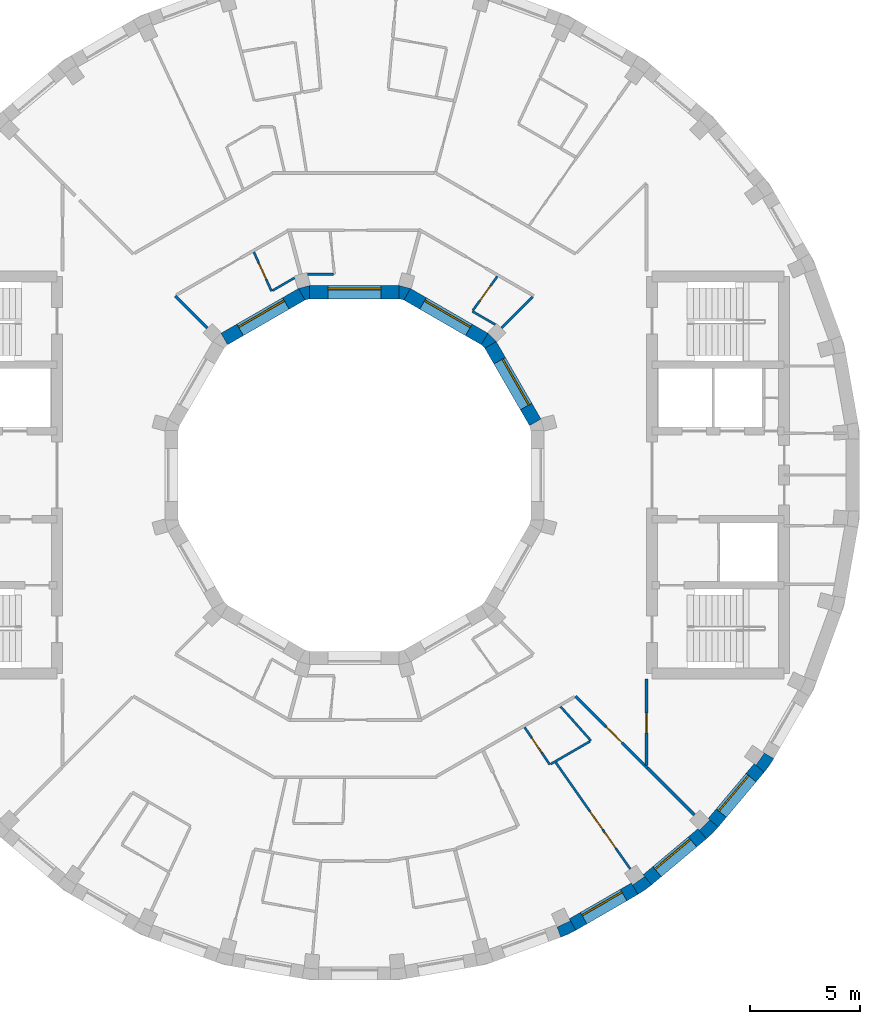
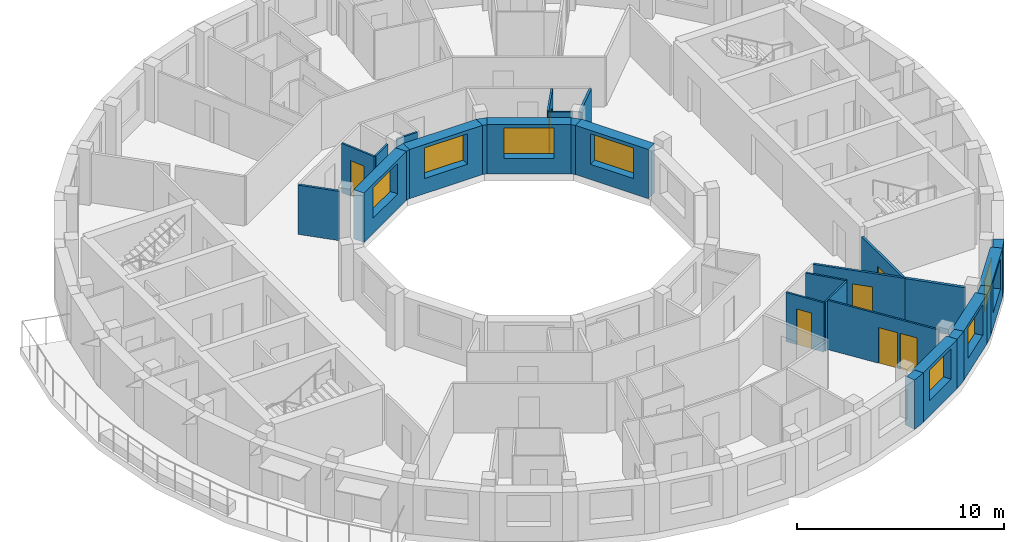
# One storey, part 5 of 10: 28 walls, 7 doors, 7 windows, 14 openings.
"""IFC4 building model written with IfcOpenShell, lengths in metres."""

from ifc_helpers import new_model, si_unit, direction, frame, frame_2d, origin, place, context, subcontext, project, spatial, polyline, rectangle, outline, extrude, material, layer, layer_set, type_object, element, fill, save


model = new_model("IFC4")

# Units and contexts
model_context = context("Model", 3, precision=1e-05, world=origin(), true_north=direction((0.0, 1.0)))
body_context = subcontext(model_context, "Body", "Model", "MODEL_VIEW")
ifc_project = project(units=[si_unit("LENGTHUNIT", "METRE"), si_unit("AREAUNIT", "SQUARE_METRE"), si_unit("VOLUMEUNIT", "CUBIC_METRE"), si_unit("PLANEANGLEUNIT", "RADIAN"), si_unit("MASSUNIT", "GRAM", prefix="KILO")], contexts=[model_context])

# Site, building, storey
site_placement = place(None, origin())
site = spatial("IfcSite", under=ifc_project, at=site_placement, CompositionType="ELEMENT")
building_placement = place(site_placement, origin())
building = spatial("IfcBuilding", under=site, at=building_placement, Name="Saqina Gate Tower", CompositionType="ELEMENT")
storey_placement = place(building_placement, frame((0.0, 0.0, 249.5)))
storey = spatial("IfcBuildingStorey", under=building, at=storey_placement, Name="L71", CompositionType="ELEMENT", Elevation=249.5)

# Walls
ifc_material_1 = material(Name="Brick masonry (buff)", Category="masonry")
wall_type_1 = type_object("IfcWallType", Name="BRICK PIER COPING BUFF", PredefinedType="SOLIDWALL", material=ifc_material_1)
wall_1_placement = place(storey_placement, origin())
element("IfcWall", 1, at=wall_1_placement, inside=storey, type_object=wall_type_1, Name="Pier cap L71 column 30", PredefinedType="SOLIDWALL", context=body_context, shape_type="SweptSolid", body=[
    extrude(outline(polyline([(9.3642578125, -20.974609375), (10.048095703125, -20.65576171875), (9.748291015625, -20.135986328125), (9.79296875, -20.23193359375), (9.203857421875, -20.506591796875), (9.1591796875, -20.410888671875), (9.3642578125, -20.974609375)])), origin(), (0.0, 0.0, 1.0), 2.89990234375),
])
wall_2_placement = place(storey_placement, origin())
element("IfcWall", 2, at=wall_2_placement, inside=storey, type_object=wall_type_1, Name="Pier cap L71 column 31", PredefinedType="SOLIDWALL", context=body_context, shape_type="SweptSolid", body=[
    extrude(outline(polyline([(12.8642578125, -19.02978515625), (13.482421875, -18.59716796875), (13.0966796875, -18.137451171875), (13.157470703125, -18.22412109375), (12.625, -18.596923828125), (12.564208984375, -18.51025390625), (12.8642578125, -19.02978515625)])), origin(), (0.0, 0.0, 1.0), 2.89990234375),
])
wall_3_placement = place(storey_placement, origin())
element("IfcWall", 3, at=wall_3_placement, inside=storey, type_object=wall_type_1, Name="Pier cap L71 column 32", PredefinedType="SOLIDWALL", context=body_context, shape_type="SweptSolid", body=[
    extrude(outline(polyline([(16.5068359375, -15.973388671875), (16.04736328125, -15.587646484375), (16.1220703125, -15.662353515625), (15.662353515625, -16.1220703125), (15.587646484375, -16.04736328125), (15.973388671875, -16.5068359375), (16.5068359375, -15.973388671875)])), origin(), (0.0, 0.0, 1.0), 2.89990234375),
])
wall_4_placement = place(storey_placement, origin())
element("IfcWall", 4, at=wall_4_placement, inside=storey, type_object=wall_type_1, Name="Pier cap L71 column 33", PredefinedType="SOLIDWALL", context=body_context, shape_type="SweptSolid", body=[
    extrude(outline(polyline([(19.02978515625, -12.8642578125), (18.51025390625, -12.564208984375), (18.596923828125, -12.625), (18.22412109375, -13.157470703125), (18.137451171875, -13.0966796875), (18.59716796875, -13.482421875), (19.02978515625, -12.8642578125)])), origin(), (0.0, 0.0, 1.0), 2.89990234375),
])

# Wall, opening, window
ifc_material_2 = material(Name="Brick masonry (buff)", Category="masonry")
ifc_layer_1 = layer(ifc_material_2, 0.60009765625)
ifc_layer_set_1 = layer_set([ifc_layer_1], Name="FW-BRICK-BUFF")
wall_type_2 = type_object("IfcWallType", Name="FW-BRICK-BUFF", PredefinedType="SOLIDWALL", material=ifc_layer_set_1)
wall_5_placement = place(storey_placement, frame((9.898193359375, -20.39599609375, 0.0), z_axis=(0.0, 0.0, 1.0), x_axis=(0.866016800201, 0.500014901547, 0.0)))
wall_5 = element("IfcWall", 5, at=wall_5_placement, inside=storey, type_object=wall_type_2, Name="Facade wall L71 facet 30", PredefinedType="SOLIDWALL", context=body_context, shape_type="SweptSolid", body=[
    extrude(rectangle(XDim=3.251953125, YDim=0.60009765625, at=frame_2d((1.6259765625, 0.0))), origin(), (0.0, 0.0, 1.0), 2.89990234375),
])
opening_1_placement = place(wall_5_placement, frame((0.57568359375, 0.0, 0.89990234375)))
opening_1 = element("IfcOpeningElement", 6, at=opening_1_placement, cuts=wall_5, Name="Opening G21-W21", PredefinedType="OPENING", context=body_context, shape_type="SweptSolid", body=[
    extrude(rectangle(XDim=2.10009765625, YDim=1.800048828125, at=frame_2d((1.050048828125, 0.89990234375))), frame((0.0, 0.31201171875, 0.0), z_axis=(0.0, -1.0, 0.0), x_axis=(1.0, 0.0, 0.0)), (0.0, 0.0, 1.0), 0.6240234375),
])
ifc_material_3 = material(Name="Aluminium glazing", Category="aluminium")
window_type_1 = type_object("IfcWindowType", Name="WN-D", PartitioningType="SINGLE_PANEL", PredefinedType="WINDOW", material=ifc_material_3)
window_1_placement = place(opening_1_placement, origin())
window_1 = element("IfcWindow", 7, at=window_1_placement, inside=storey, type_object=window_type_1, Name="Window L71 facet 30", OverallHeight=1.800048828125, OverallWidth=2.10009765625, PartitioningType="SINGLE_PANEL", PredefinedType="WINDOW", context=body_context, shape_type="SweptSolid", body=[
    extrude(rectangle(XDim=2.10009765625, YDim=1.800048828125, at=frame_2d((1.050048828125, 0.89990234375))), frame((0.0, 0.179931640625, 0.0), z_axis=(0.0, -1.0, 0.0), x_axis=(1.0, 0.0, 0.0)), (0.0, 0.0, 1.0), 0.06005859375),
])
fill(opening_1, window_1)

wall_6_placement = place(storey_placement, frame((13.28955078125, -18.3671875, 0.0), z_axis=(0.0, 0.0, 1.0), x_axis=(0.766056773982, 0.64277291405, 0.0)))
wall_6 = element("IfcWall", 8, at=wall_6_placement, inside=storey, type_object=wall_type_2, Name="Facade wall L71 facet 31", PredefinedType="SOLIDWALL", context=body_context, shape_type="SweptSolid", body=[
    extrude(rectangle(XDim=3.251708984375, YDim=0.60009765625, at=frame_2d((1.6259765625, 0.0))), origin(), (0.0, 0.0, 1.0), 2.89990234375),
])
opening_2_placement = place(wall_6_placement, frame((0.57568359375, 0.0, 0.89990234375)))
opening_2 = element("IfcOpeningElement", 9, at=opening_2_placement, cuts=wall_6, Name="Opening G21-W22", PredefinedType="OPENING", context=body_context, shape_type="SweptSolid", body=[
    extrude(rectangle(XDim=2.10009765625, YDim=1.800048828125, at=frame_2d((1.050048828125, 0.89990234375))), frame((0.0, 0.31201171875, 0.0), z_axis=(0.0, -1.0, 0.0), x_axis=(1.0, 0.0, 0.0)), (0.0, 0.0, 1.0), 0.6240234375),
])
window_2_placement = place(opening_2_placement, origin())
window_2 = element("IfcWindow", 10, at=window_2_placement, inside=storey, type_object=window_type_1, Name="Window L71 facet 31", OverallHeight=1.800048828125, OverallWidth=2.10009765625, PartitioningType="SINGLE_PANEL", PredefinedType="WINDOW", context=body_context, shape_type="SweptSolid", body=[
    extrude(rectangle(XDim=2.10009765625, YDim=1.800048828125, at=frame_2d((1.050048828125, 0.89990234375))), frame((0.0, 0.179931640625, 0.0), z_axis=(0.0, -1.0, 0.0), x_axis=(1.0, 0.0, 0.0)), (0.0, 0.0, 1.0), 0.06005859375),
])
fill(opening_2, window_2)

wall_7_placement = place(storey_placement, frame((16.277099609375, -15.780517578125, 0.0), z_axis=(0.0, 0.0, 1.0), x_axis=(0.64277291405, 0.766056773982, 0.0)))
wall_7 = element("IfcWall", 11, at=wall_7_placement, inside=storey, type_object=wall_type_2, Name="Facade wall L71 facet 32", PredefinedType="SOLIDWALL", context=body_context, shape_type="SweptSolid", body=[
    extrude(rectangle(XDim=3.251708984375, YDim=0.60009765625, at=frame_2d((1.6259765625, 0.0))), origin(), (0.0, 0.0, 1.0), 2.89990234375),
])
opening_3_placement = place(wall_7_placement, frame((0.57568359375, 0.0, 0.89990234375)))
opening_3 = element("IfcOpeningElement", 12, at=opening_3_placement, cuts=wall_7, Name="Opening G21-W23", PredefinedType="OPENING", context=body_context, shape_type="SweptSolid", body=[
    extrude(rectangle(XDim=2.10009765625, YDim=1.800048828125, at=frame_2d((1.050048828125, 0.89990234375))), frame((0.0, 0.31201171875, 0.0), z_axis=(0.0, -1.0, 0.0), x_axis=(1.0, 0.0, 0.0)), (0.0, 0.0, 1.0), 0.6240234375),
])
window_3_placement = place(opening_3_placement, origin())
window_3 = element("IfcWindow", 13, at=window_3_placement, inside=storey, type_object=window_type_1, Name="Window L71 facet 32", OverallHeight=1.800048828125, OverallWidth=2.10009765625, PartitioningType="SINGLE_PANEL", PredefinedType="WINDOW", context=body_context, shape_type="SweptSolid", body=[
    extrude(rectangle(XDim=2.10009765625, YDim=1.800048828125, at=frame_2d((1.050048828125, 0.89990234375))), frame((0.0, 0.179931640625, 0.0), z_axis=(0.0, -1.0, 0.0), x_axis=(1.0, 0.0, 0.0)), (0.0, 0.0, 1.0), 0.06005859375),
])
fill(opening_3, window_3)

ifc_material_4 = material(Name="Glazed ceramic tile", Category="ceramic")
ifc_layer_2 = layer(ifc_material_4, 0.60009765625)
ifc_layer_set_2 = layer_set([ifc_layer_2], Name="IW-TILE")
wall_type_3 = type_object("IfcWallType", Name="IW-TILE", PredefinedType="SOLIDWALL", material=ifc_layer_set_2)
wall_8_placement = place(storey_placement, frame((8.20263671875, 2.392578125, 0.0), z_axis=(0.0, 0.0, 1.0), x_axis=(-0.499994954979, 0.866028316509, 0.0)))
wall_8 = element("IfcWall", 14, at=wall_8_placement, inside=storey, type_object=wall_type_3, Name="Well wall L71 facet 1", PredefinedType="SOLIDWALL", context=body_context, shape_type="SweptSolid", body=[
    extrude(rectangle(XDim=4.05859375, YDim=0.60009765625, at=frame_2d((2.029296875, 0.0))), origin(), (0.0, 0.0, 1.0), 2.89990234375),
])
opening_4_placement = place(wall_8_placement, frame((0.829345703125, 0.0, 0.89990234375)))
opening_4 = element("IfcOpeningElement", 15, at=opening_4_placement, cuts=wall_8, Name="Opening G21-W25", PredefinedType="OPENING", context=body_context, shape_type="SweptSolid", body=[
    extrude(rectangle(XDim=2.39990234375, YDim=1.800048828125, at=frame_2d((1.199951171875, 0.89990234375))), frame((0.0, 0.31201171875, 0.0), z_axis=(0.0, -1.0, 0.0), x_axis=(1.0, 0.0, 0.0)), (0.0, 0.0, 1.0), 0.6240234375),
])
ifc_material_5 = material(Name="Aluminium glazing", Category="aluminium")
window_type_2 = type_object("IfcWindowType", Name="WN-W", PartitioningType="SINGLE_PANEL", PredefinedType="WINDOW", material=ifc_material_5)
window_4_placement = place(opening_4_placement, origin())
window_4 = element("IfcWindow", 16, at=window_4_placement, inside=storey, type_object=window_type_2, Name="Well window L71 facet 1", OverallHeight=1.800048828125, OverallWidth=2.39990234375, PartitioningType="SINGLE_PANEL", PredefinedType="WINDOW", context=body_context, shape_type="SweptSolid", body=[
    extrude(rectangle(XDim=2.39990234375, YDim=1.800048828125, at=frame_2d((1.199951171875, 0.89990234375))), frame((0.0, -0.119873046875, 0.0), z_axis=(0.0, -1.0, 0.0), x_axis=(1.0, 0.0, 0.0)), (0.0, 0.0, 1.0), 0.06005859375),
])
fill(opening_4, window_4)

wall_9_placement = place(storey_placement, frame((5.907470703125, 6.17333984375, 0.0), z_axis=(0.0, 0.0, 1.0), x_axis=(-0.866028316509, 0.499994954979, 0.0)))
wall_9 = element("IfcWall", 17, at=wall_9_placement, inside=storey, type_object=wall_type_3, Name="Well wall L71 facet 2", PredefinedType="SOLIDWALL", context=body_context, shape_type="SweptSolid", body=[
    extrude(rectangle(XDim=4.05859375, YDim=0.60009765625, at=frame_2d((2.029296875, 0.0))), origin(), (0.0, 0.0, 1.0), 2.89990234375),
])
opening_5_placement = place(wall_9_placement, frame((0.829345703125, 0.0, 0.89990234375)))
opening_5 = element("IfcOpeningElement", 18, at=opening_5_placement, cuts=wall_9, Name="Opening G21-W26", PredefinedType="OPENING", context=body_context, shape_type="SweptSolid", body=[
    extrude(rectangle(XDim=2.39990234375, YDim=1.800048828125, at=frame_2d((1.199951171875, 0.89990234375))), frame((0.0, 0.31201171875, 0.0), z_axis=(0.0, -1.0, 0.0), x_axis=(1.0, 0.0, 0.0)), (0.0, 0.0, 1.0), 0.6240234375),
])
window_5_placement = place(opening_5_placement, origin())
window_5 = element("IfcWindow", 19, at=window_5_placement, inside=storey, type_object=window_type_2, Name="Well window L71 facet 2", OverallHeight=1.800048828125, OverallWidth=2.39990234375, PartitioningType="SINGLE_PANEL", PredefinedType="WINDOW", context=body_context, shape_type="SweptSolid", body=[
    extrude(rectangle(XDim=2.39990234375, YDim=1.800048828125, at=frame_2d((1.199951171875, 0.89990234375))), frame((0.0, -0.119873046875, 0.0), z_axis=(0.0, -1.0, 0.0), x_axis=(1.0, 0.0, 0.0)), (0.0, 0.0, 1.0), 0.06005859375),
])
fill(opening_5, window_5)

wall_10_placement = place(storey_placement, frame((2.029296875, 8.300048828125, 0.0), z_axis=(0.0, 0.0, 1.0), x_axis=(-1.0, 0.0, 0.0)))
wall_10 = element("IfcWall", 20, at=wall_10_placement, inside=storey, type_object=wall_type_3, Name="Well wall L71 facet 3", PredefinedType="SOLIDWALL", context=body_context, shape_type="SweptSolid", body=[
    extrude(rectangle(XDim=4.05859375, YDim=0.60009765625, at=frame_2d((2.029296875, 0.0))), origin(), (0.0, 0.0, 1.0), 2.89990234375),
])
opening_6_placement = place(wall_10_placement, frame((0.829345703125, 0.0, 0.89990234375)))
opening_6 = element("IfcOpeningElement", 21, at=opening_6_placement, cuts=wall_10, Name="Opening G21-W27", PredefinedType="OPENING", context=body_context, shape_type="SweptSolid", body=[
    extrude(rectangle(XDim=2.39990234375, YDim=1.800048828125, at=frame_2d((1.199951171875, 0.89990234375))), frame((0.0, 0.31201171875, 0.0), z_axis=(0.0, -1.0, 0.0), x_axis=(1.0, 0.0, 0.0)), (0.0, 0.0, 1.0), 0.6240234375),
])
window_6_placement = place(opening_6_placement, origin())
window_6 = element("IfcWindow", 22, at=window_6_placement, inside=storey, type_object=window_type_2, Name="Well window L71 facet 3", OverallHeight=1.800048828125, OverallWidth=2.39990234375, PartitioningType="SINGLE_PANEL", PredefinedType="WINDOW", context=body_context, shape_type="SweptSolid", body=[
    extrude(rectangle(XDim=2.39990234375, YDim=1.800048828125, at=frame_2d((1.199951171875, 0.89990234375))), frame((0.0, -0.119873046875, 0.0), z_axis=(0.0, -1.0, 0.0), x_axis=(1.0, 0.0, 0.0)), (0.0, 0.0, 1.0), 0.06005859375),
])
fill(opening_6, window_6)

wall_11_placement = place(storey_placement, frame((-2.392578125, 8.20263671875, 0.0), z_axis=(0.0, 0.0, 1.0), x_axis=(-0.866028316509, -0.499994954979, 0.0)))
wall_11 = element("IfcWall", 23, at=wall_11_placement, inside=storey, type_object=wall_type_3, Name="Well wall L71 facet 4", PredefinedType="SOLIDWALL", context=body_context, shape_type="SweptSolid", body=[
    extrude(rectangle(XDim=4.05859375, YDim=0.60009765625, at=frame_2d((2.029296875, 0.0))), origin(), (0.0, 0.0, 1.0), 2.89990234375),
])
opening_7_placement = place(wall_11_placement, frame((0.829345703125, 0.0, 0.89990234375)))
opening_7 = element("IfcOpeningElement", 24, at=opening_7_placement, cuts=wall_11, Name="Opening G21-W28", PredefinedType="OPENING", context=body_context, shape_type="SweptSolid", body=[
    extrude(rectangle(XDim=2.39990234375, YDim=1.800048828125, at=frame_2d((1.199951171875, 0.89990234375))), frame((0.0, 0.31201171875, 0.0), z_axis=(0.0, -1.0, 0.0), x_axis=(1.0, 0.0, 0.0)), (0.0, 0.0, 1.0), 0.6240234375),
])
window_7_placement = place(opening_7_placement, origin())
window_7 = element("IfcWindow", 25, at=window_7_placement, inside=storey, type_object=window_type_2, Name="Well window L71 facet 4", OverallHeight=1.800048828125, OverallWidth=2.39990234375, PartitioningType="SINGLE_PANEL", PredefinedType="WINDOW", context=body_context, shape_type="SweptSolid", body=[
    extrude(rectangle(XDim=2.39990234375, YDim=1.800048828125, at=frame_2d((1.199951171875, 0.89990234375))), frame((0.0, -0.119873046875, 0.0), z_axis=(0.0, -1.0, 0.0), x_axis=(1.0, 0.0, 0.0)), (0.0, 0.0, 1.0), 0.06005859375),
])
fill(opening_7, window_7)

# Wall, opening, door
ifc_material_6 = material(Name="Gypsum board on steel studs, 100 mm", Category="steel")
ifc_layer_3 = layer(ifc_material_6, 0.10009765625)
ifc_layer_set_3 = layer_set([ifc_layer_3], Name="PARTITION 100")
wall_type_4 = type_object("IfcWallType", Name="PARTITION 100", PredefinedType="PARTITIONING", material=ifc_layer_set_3)
wall_12_placement = place(storey_placement, frame((-4.566162109375, 10.12060546875, 0.0), z_axis=(0.0, 0.0, 1.0), x_axis=(0.411506094415, -0.911407008015, 0.0)))
wall_12 = element("IfcWall", 26, at=wall_12_placement, inside=storey, type_object=wall_type_4, Name="PARTITION PW3-08", PredefinedType="PARTITIONING", context=body_context, shape_type="SweptSolid", body=[
    extrude(rectangle(XDim=1.947265625, YDim=0.10009765625, at=frame_2d((0.9736328125, 0.0))), origin(), (0.0, 0.0, 1.0), 2.89990234375),
])
opening_8_placement = place(wall_12_placement, frame((0.5419921875, 0.0, 0.0)))
opening_8 = element("IfcOpeningElement", 27, at=opening_8_placement, cuts=wall_12, Name="Opening G21-D18", PredefinedType="OPENING", context=body_context, shape_type="SweptSolid", body=[
    extrude(rectangle(XDim=0.800048828125, YDim=2.10009765625, at=frame_2d((0.39990234375, 1.050048828125))), frame((0.0, 0.06201171875, 0.0), z_axis=(0.0, -1.0, 0.0), x_axis=(1.0, 0.0, 0.0)), (0.0, 0.0, 1.0), 0.1240234375),
])
ifc_material_7 = material(Name="Timber door leaf, 800 mm", Category="wood")
door_type_1 = type_object("IfcDoorType", Name="DOOR 800 TIMBER", OperationType="SINGLE_SWING_LEFT", PredefinedType="DOOR", material=ifc_material_7)
door_1_placement = place(opening_8_placement, frame((0.800048828125, 0.0, 0.0), z_axis=(0.0, 0.0, 1.0), x_axis=(-1.0, 0.0, 0.0)))
door_1 = element("IfcDoor", 28, at=door_1_placement, inside=storey, type_object=door_type_1, Name="DOOR G21-D18", OperationType="SINGLE_SWING_RIGHT", OverallHeight=2.10009765625, OverallWidth=0.800048828125, PredefinedType="DOOR", context=body_context, shape_type="SweptSolid", body=[
    extrude(rectangle(XDim=0.800048828125, YDim=2.10009765625, at=frame_2d((0.39990234375, 1.050048828125))), frame((0.0, 0.02490234375, 0.0), z_axis=(0.0, -1.0, 0.0), x_axis=(1.0, 0.0, 0.0)), (0.0, 0.0, 1.0), 0.050048828125),
])
fill(opening_8, door_1)

wall_13_placement = place(storey_placement, frame((7.72119140625, -11.44775390625, 0.0), z_axis=(0.0, 0.0, 1.0), x_axis=(0.559248794195, -0.828999871044, 0.0)))
wall_13 = element("IfcWall", 29, at=wall_13_placement, inside=storey, type_object=wall_type_4, Name="PARTITION PW3-10", PredefinedType="PARTITIONING", context=body_context, shape_type="SweptSolid", body=[
    extrude(rectangle(XDim=2.0400390625, YDim=0.10009765625, at=frame_2d((1.02001953125, 0.0))), origin(), (0.0, 0.0, 1.0), 2.89990234375),
])
opening_9_placement = place(wall_13_placement, frame((0.587158203125, 0.0, 0.0)))
opening_9 = element("IfcOpeningElement", 30, at=opening_9_placement, cuts=wall_13, Name="Opening G21-D39", PredefinedType="OPENING", context=body_context, shape_type="SweptSolid", body=[
    extrude(rectangle(XDim=0.800048828125, YDim=2.10009765625, at=frame_2d((0.39990234375, 1.050048828125))), frame((0.0, 0.06201171875, 0.0), z_axis=(0.0, -1.0, 0.0), x_axis=(1.0, 0.0, 0.0)), (0.0, 0.0, 1.0), 0.1240234375),
])
door_2_placement = place(opening_9_placement, frame((0.800048828125, 0.0, 0.0), z_axis=(0.0, 0.0, 1.0), x_axis=(-1.0, 0.0, 0.0)))
door_2 = element("IfcDoor", 31, at=door_2_placement, inside=storey, type_object=door_type_1, Name="DOOR G21-D39", OperationType="SINGLE_SWING_RIGHT", OverallHeight=2.10009765625, OverallWidth=0.800048828125, PredefinedType="DOOR", context=body_context, shape_type="SweptSolid", body=[
    extrude(rectangle(XDim=0.800048828125, YDim=2.10009765625, at=frame_2d((0.39990234375, 1.050048828125))), frame((0.0, 0.02490234375, 0.0), z_axis=(0.0, -1.0, 0.0), x_axis=(1.0, 0.0, 0.0)), (0.0, 0.0, 1.0), 0.050048828125),
])
fill(opening_9, door_2)

# Wall, openings, doors
wall_14_placement = place(storey_placement, frame((9.131591796875, -13.041015625, 0.0), z_axis=(0.0, 0.0, 1.0), x_axis=(0.573490140142, -0.819212462772, 0.0)))
wall_14 = element("IfcWall", 32, at=wall_14_placement, inside=storey, type_object=wall_type_4, Name="PARTITION PW3-11", PredefinedType="PARTITIONING", context=body_context, shape_type="SweptSolid", body=[
    extrude(rectangle(XDim=5.894775390625, YDim=0.10009765625, at=frame_2d((2.947265625, 0.0))), origin(), (0.0, 0.0, 1.0), 2.89990234375),
])
opening_10_placement = place(wall_14_placement, frame((2.71337890625, 0.0, 0.0)))
opening_10 = element("IfcOpeningElement", 33, at=opening_10_placement, cuts=wall_14, Name="Opening G21-D40", PredefinedType="OPENING", context=body_context, shape_type="SweptSolid", body=[
    extrude(rectangle(XDim=1.0, YDim=2.10009765625, at=frame_2d((0.5, 1.050048828125))), frame((0.0, 0.06201171875, 0.0), z_axis=(0.0, -1.0, 0.0), x_axis=(1.0, 0.0, 0.0)), (0.0, 0.0, 1.0), 0.1240234375),
])
opening_11_placement = place(wall_14_placement, frame((3.863525390625, 0.0, 0.0)))
opening_11 = element("IfcOpeningElement", 34, at=opening_11_placement, cuts=wall_14, Name="Opening G21-D41", PredefinedType="OPENING", context=body_context, shape_type="SweptSolid", body=[
    extrude(rectangle(XDim=0.89990234375, YDim=2.10009765625, at=frame_2d((0.449951171875, 1.050048828125))), frame((0.0, 0.06201171875, 0.0), z_axis=(0.0, -1.0, 0.0), x_axis=(1.0, 0.0, 0.0)), (0.0, 0.0, 1.0), 0.1240234375),
])
ifc_material_8 = material(Name="Timber door leaf, 1000 mm", Category="wood")
door_type_2 = type_object("IfcDoorType", Name="DOOR 1000 TIMBER", OperationType="SINGLE_SWING_LEFT", PredefinedType="DOOR", material=ifc_material_8)
door_3_placement = place(opening_10_placement, frame((1.0, 0.0, 0.0), z_axis=(0.0, 0.0, 1.0), x_axis=(-1.0, 0.0, 0.0)))
door_3 = element("IfcDoor", 35, at=door_3_placement, inside=storey, type_object=door_type_2, Name="DOOR G21-D40", OperationType="SINGLE_SWING_LEFT", OverallHeight=2.10009765625, OverallWidth=1.0, PredefinedType="DOOR", context=body_context, shape_type="SweptSolid", body=[
    extrude(rectangle(XDim=1.0, YDim=2.10009765625, at=frame_2d((0.5, 1.050048828125))), frame((0.0, 0.02490234375, 0.0), z_axis=(0.0, -1.0, 0.0), x_axis=(1.0, 0.0, 0.0)), (0.0, 0.0, 1.0), 0.050048828125),
])
fill(opening_10, door_3)
ifc_material_9 = material(Name="Timber door leaf, 900 mm", Category="wood")
door_type_3 = type_object("IfcDoorType", Name="DOOR 900 TIMBER", OperationType="SINGLE_SWING_LEFT", PredefinedType="DOOR", material=ifc_material_9)
door_4_placement = place(opening_11_placement, frame((0.89990234375, 0.0, 0.0), z_axis=(0.0, 0.0, 1.0), x_axis=(-1.0, 0.0, 0.0)))
door_4 = element("IfcDoor", 36, at=door_4_placement, inside=storey, type_object=door_type_3, Name="DOOR G21-D41", OperationType="SINGLE_SWING_LEFT", OverallHeight=2.10009765625, OverallWidth=0.89990234375, PredefinedType="DOOR", context=body_context, shape_type="SweptSolid", body=[
    extrude(rectangle(XDim=0.89990234375, YDim=2.10009765625, at=frame_2d((0.449951171875, 1.050048828125))), frame((0.0, 0.02490234375, 0.0), z_axis=(0.0, -1.0, 0.0), x_axis=(1.0, 0.0, 0.0)), (0.0, 0.0, 1.0), 0.050048828125),
])
fill(opening_11, door_4)

# Walls
wall_15_placement = place(storey_placement, frame((9.349609375, -10.503173828125, 0.0), z_axis=(0.0, 0.0, 1.0), x_axis=(0.664939395891, -0.746897315427, 0.0)))
element("IfcWall", 37, at=wall_15_placement, inside=storey, type_object=wall_type_4, Name="PARTITION PW3-13", PredefinedType="PARTITIONING", context=body_context, shape_type="SweptSolid", body=[
    extrude(rectangle(XDim=2.079345703125, YDim=0.10009765625, at=frame_2d((1.03955078125, 0.0))), origin(), (0.0, 0.0, 1.0), 2.89990234375),
])
wall_16_placement = place(storey_placement, frame((5.344970703125, 7.43310546875, 0.0), z_axis=(0.0, 0.0, 1.0), x_axis=(0.866108180176, -0.499856599668, 0.0)))
element("IfcWall", 38, at=wall_16_placement, inside=storey, type_object=wall_type_4, Name="PARTITION PW3-17", PredefinedType="PARTITIONING", context=body_context, shape_type="SweptSolid", body=[
    extrude(rectangle(XDim=1.207763671875, YDim=0.10009765625, at=frame_2d((0.60400390625, 0.0))), origin(), (0.0, 0.0, 1.0), 2.89990234375),
])
wall_17_placement = place(storey_placement, frame((-2.1201171875, 9.110107421875, 0.0), z_axis=(0.0, 0.0, 1.0), x_axis=(1.0, 0.0, 0.0)))
element("IfcWall", 39, at=wall_17_placement, inside=storey, type_object=wall_type_4, Name="PARTITION PW3-26", PredefinedType="PARTITIONING", context=body_context, shape_type="SweptSolid", body=[
    extrude(rectangle(XDim=1.158203125, YDim=0.10009765625, at=frame_2d((0.5791015625, 0.0))), origin(), (0.0, 0.0, 1.0), 2.89990234375),
])
wall_18_placement = place(storey_placement, frame((8.906982421875, -13.113037109375, 0.0), z_axis=(0.0, 0.0, 1.0), x_axis=(0.865983906191, 0.500071869053, 0.0)))
element("IfcWall", 40, at=wall_18_placement, inside=storey, type_object=wall_type_4, Name="PARTITION PW3-32", PredefinedType="PARTITIONING", context=body_context, shape_type="SweptSolid", body=[
    extrude(rectangle(XDim=2.056396484375, YDim=0.10009765625, at=frame_2d((1.0283203125, 0.0))), origin(), (0.0, 0.0, 1.0), 2.89990234375),
])
wall_19_placement = place(storey_placement, frame((-3.7216796875, 8.37109375, 0.0), z_axis=(0.0, 0.0, 1.0), x_axis=(0.866132916787, 0.499813735764, 0.0)))
element("IfcWall", 41, at=wall_19_placement, inside=storey, type_object=wall_type_4, Name="PARTITION PW3-34", PredefinedType="PARTITIONING", context=body_context, shape_type="SweptSolid", body=[
    extrude(rectangle(XDim=1.15771484375, YDim=0.10009765625, at=frame_2d((0.578857421875, 0.0))), origin(), (0.0, 0.0, 1.0), 2.89990234375),
])

# Wall, opening, door
wall_20_placement = place(storey_placement, frame((5.374267578125, 7.4736328125, 0.0), z_axis=(0.0, 0.0, 1.0), x_axis=(0.583609530889, 0.812034429969, 0.0)))
wall_20 = element("IfcWall", 42, at=wall_20_placement, inside=storey, type_object=wall_type_4, Name="PARTITION PW3-36", PredefinedType="PARTITIONING", context=body_context, shape_type="SweptSolid", body=[
    extrude(rectangle(XDim=1.897216796875, YDim=0.10009765625, at=frame_2d((0.94873046875, 0.0))), origin(), (0.0, 0.0, 1.0), 2.89990234375),
])
opening_12_placement = place(wall_20_placement, frame((0.554931640625, 0.0, 0.0)))
opening_12 = element("IfcOpeningElement", 43, at=opening_12_placement, cuts=wall_20, Name="Opening G21-D01", PredefinedType="OPENING", context=body_context, shape_type="SweptSolid", body=[
    extrude(rectangle(XDim=0.800048828125, YDim=2.10009765625, at=frame_2d((0.39990234375, 1.050048828125))), frame((0.0, 0.06201171875, 0.0), z_axis=(0.0, -1.0, 0.0), x_axis=(1.0, 0.0, 0.0)), (0.0, 0.0, 1.0), 0.1240234375),
])
door_5_placement = place(opening_12_placement, origin())
door_5 = element("IfcDoor", 44, at=door_5_placement, inside=storey, type_object=door_type_1, Name="DOOR G21-D01", OperationType="SINGLE_SWING_RIGHT", OverallHeight=2.10009765625, OverallWidth=0.800048828125, PredefinedType="DOOR", context=body_context, shape_type="SweptSolid", body=[
    extrude(rectangle(XDim=0.800048828125, YDim=2.10009765625, at=frame_2d((0.39990234375, 1.050048828125))), frame((0.0, 0.02490234375, 0.0), z_axis=(0.0, -1.0, 0.0), x_axis=(1.0, 0.0, 0.0)), (0.0, 0.0, 1.0), 0.050048828125),
])
fill(opening_12, door_5)

# Wall
ifc_material_10 = material(Name="Gypsum board on steel studs, 125 mm, fire rated", Category="steel")
ifc_layer_4 = layer(ifc_material_10, 0.125)
ifc_layer_set_4 = layer_set([ifc_layer_4], Name="PARTITION EI 30 125")
wall_type_5 = type_object("IfcWallType", Name="PARTITION EI 30 125", PredefinedType="PARTITIONING", material=ifc_layer_set_4)
wall_21_placement = place(storey_placement, frame((-8.133056640625, 8.133056640625, 0.0), z_axis=(0.0, 0.0, 1.0), x_axis=(0.707106781187, -0.707106781187, 0.0)))
element("IfcWall", 45, at=wall_21_placement, inside=storey, type_object=wall_type_5, Name="PARTITION PW1-05", PredefinedType="PARTITIONING", context=body_context, shape_type="SweptSolid", body=[
    extrude(rectangle(XDim=2.0595703125, YDim=0.125, at=frame_2d((1.02978515625, 0.0))), origin(), (0.0, 0.0, 1.0), 2.89990234375),
])

# Wall, opening, door
wall_22_placement = place(storey_placement, frame((10.035888671875, -10.035888671875, 0.0), z_axis=(0.0, 0.0, 1.0), x_axis=(0.707106781187, -0.707106781187, 0.0)))
wall_22 = element("IfcWall", 46, at=wall_22_placement, inside=storey, type_object=wall_type_5, Name="PARTITION PW1-07", PredefinedType="PARTITIONING", context=body_context, shape_type="SweptSolid", body=[
    extrude(rectangle(XDim=4.60791015625, YDim=0.125, at=frame_2d((2.303955078125, 0.0))), origin(), (0.0, 0.0, 1.0), 2.89990234375),
])
opening_13_placement = place(wall_22_placement, frame((1.97265625, 0.0, 0.0)))
opening_13 = element("IfcOpeningElement", 47, at=opening_13_placement, cuts=wall_22, Name="Opening G21-D43", PredefinedType="OPENING", context=body_context, shape_type="SweptSolid", body=[
    extrude(rectangle(XDim=1.0, YDim=2.10009765625, at=frame_2d((0.5, 1.050048828125))), frame((0.0, 0.074462890625, 0.0), z_axis=(0.0, -1.0, 0.0), x_axis=(1.0, 0.0, 0.0)), (0.0, 0.0, 1.0), 0.14892578125),
])
ifc_material_11 = material(Name="Fire door leaf EI 30, 1000 mm")
door_type_4 = type_object("IfcDoorType", Name="DOOR 1000 EI 30", OperationType="SINGLE_SWING_LEFT", PredefinedType="DOOR", material=ifc_material_11)
door_6_placement = place(opening_13_placement, frame((1.0, 0.0, 0.0), z_axis=(0.0, 0.0, 1.0), x_axis=(-1.0, 0.0, 0.0)))
door_6 = element("IfcDoor", 48, at=door_6_placement, inside=storey, type_object=door_type_4, Name="DOOR G21-D43", OperationType="SINGLE_SWING_RIGHT", OverallHeight=2.10009765625, OverallWidth=1.0, PredefinedType="DOOR", context=body_context, shape_type="SweptSolid", body=[
    extrude(rectangle(XDim=1.0, YDim=2.10009765625, at=frame_2d((0.5, 1.050048828125))), frame((0.0, 0.02490234375, 0.0), z_axis=(0.0, -1.0, 0.0), x_axis=(1.0, 0.0, 0.0)), (0.0, 0.0, 1.0), 0.050048828125),
])
fill(opening_13, door_6)

# Wall
wall_23_placement = place(storey_placement, frame((6.6767578125, 6.6767578125, 0.0), z_axis=(0.0, 0.0, 1.0), x_axis=(0.707106781187, 0.707106781187, 0.0)))
element("IfcWall", 49, at=wall_23_placement, inside=storey, type_object=wall_type_5, Name="PARTITION PW1-29", PredefinedType="PARTITIONING", context=body_context, shape_type="SweptSolid", body=[
    extrude(rectangle(XDim=1.9970703125, YDim=0.125, at=frame_2d((0.99853515625, 0.0))), origin(), (0.0, 0.0, 1.0), 2.89990234375),
])

# Wall, opening, door
wall_24_placement = place(storey_placement, frame((13.25, -13.175048828125, 0.0), z_axis=(0.0, 0.0, 1.0), x_axis=(0.0, 1.0, 0.0)))
wall_24 = element("IfcWall", 50, at=wall_24_placement, inside=storey, type_object=wall_type_5, Name="PARTITION PW1-38", PredefinedType="PARTITIONING", context=body_context, shape_type="SweptSolid", body=[
    extrude(rectangle(XDim=3.925048828125, YDim=0.125, at=frame_2d((1.96240234375, 0.0))), origin(), (0.0, 0.0, 1.0), 2.89990234375),
])
opening_14_placement = place(wall_24_placement, frame((1.47509765625, 0.0, 0.0)))
opening_14 = element("IfcOpeningElement", 51, at=opening_14_placement, cuts=wall_24, Name="Opening G21-D44", PredefinedType="OPENING", context=body_context, shape_type="SweptSolid", body=[
    extrude(rectangle(XDim=0.89990234375, YDim=2.10009765625, at=frame_2d((0.449951171875, 1.050048828125))), frame((0.0, 0.074462890625, 0.0), z_axis=(0.0, -1.0, 0.0), x_axis=(1.0, 0.0, 0.0)), (0.0, 0.0, 1.0), 0.14892578125),
])
ifc_material_12 = material(Name="Fire door leaf EI 30, 900 mm")
door_type_5 = type_object("IfcDoorType", Name="DOOR 900 EI 30", OperationType="SINGLE_SWING_LEFT", PredefinedType="DOOR", material=ifc_material_12)
door_7_placement = place(opening_14_placement, frame((0.89990234375, 0.0, 0.0), z_axis=(0.0, 0.0, 1.0), x_axis=(-1.0, 0.0, 0.0)))
door_7 = element("IfcDoor", 52, at=door_7_placement, inside=storey, type_object=door_type_5, Name="DOOR G21-D44", OperationType="SINGLE_SWING_RIGHT", OverallHeight=2.10009765625, OverallWidth=0.89990234375, PredefinedType="DOOR", context=body_context, shape_type="SweptSolid", body=[
    extrude(rectangle(XDim=0.89990234375, YDim=2.10009765625, at=frame_2d((0.449951171875, 1.050048828125))), frame((0.0, 0.02490234375, 0.0), z_axis=(0.0, -1.0, 0.0), x_axis=(1.0, 0.0, 0.0)), (0.0, 0.0, 1.0), 0.050048828125),
])
fill(opening_14, door_7)

# Walls
ifc_material_13 = material(Name="Gypsum board on steel studs, 150 mm, fire rated", Category="steel")
ifc_layer_5 = layer(ifc_material_13, 0.14990234375)
ifc_layer_set_5 = layer_set([ifc_layer_5], Name="PARTITION EI 60 150")
wall_type_6 = type_object("IfcWallType", Name="PARTITION EI 60 150", PredefinedType="PARTITIONING", material=ifc_layer_set_5)
wall_25_placement = place(storey_placement, frame((13.294189453125, -13.294189453125, 0.0), z_axis=(0.0, 0.0, 1.0), x_axis=(0.707025779208, -0.707187773887, 0.0)))
element("IfcWall", 53, at=wall_25_placement, inside=storey, type_object=wall_type_6, Name="PARTITION PW2-06", PredefinedType="PARTITIONING", context=body_context, shape_type="SweptSolid", body=[
    extrude(rectangle(XDim=3.01416015625, YDim=0.14990234375, at=frame_2d((1.507080078125, 0.0))), origin(), (0.0, 0.0, 1.0), 2.89990234375),
])
ifc_material_14 = material(Name="Glazed ceramic tile", Category="ceramic")
wall_type_7 = type_object("IfcWallType", Name="TILE PIER COPING", PredefinedType="SOLIDWALL", material=ifc_material_14)
wall_26_placement = place(storey_placement, origin())
element("IfcWall", 54, at=wall_26_placement, inside=storey, type_object=wall_type_7, Name="Well pier cap L71 column 2", PredefinedType="SOLIDWALL", context=body_context, shape_type="SweptSolid", body=[
    extrude(outline(polyline([(6.0576171875, 6.43310546875), (5.757568359375, 5.91357421875), (5.91357421875, 5.757568359375), (6.43310546875, 6.0576171875), (6.0576171875, 6.43310546875)])), origin(), (0.0, 0.0, 1.0), 2.89990234375),
])
wall_27_placement = place(storey_placement, origin())
element("IfcWall", 55, at=wall_27_placement, inside=storey, type_object=wall_type_7, Name="Well pier cap L71 column 3", PredefinedType="SOLIDWALL", context=body_context, shape_type="SweptSolid", body=[
    extrude(outline(polyline([(2.029296875, 8.60009765625), (2.029296875, 8.0), (2.242431640625, 7.94287109375), (2.54248046875, 8.46240234375), (2.029296875, 8.60009765625)])), origin(), (0.0, 0.0, 1.0), 2.89990234375),
])
wall_28_placement = place(storey_placement, origin())
element("IfcWall", 56, at=wall_28_placement, inside=storey, type_object=wall_type_7, Name="Well pier cap L71 column 4", PredefinedType="SOLIDWALL", context=body_context, shape_type="SweptSolid", body=[
    extrude(outline(polyline([(-2.54248046875, 8.46240234375), (-2.242431640625, 7.94287109375), (-2.029296875, 8.0), (-2.029296875, 8.60009765625), (-2.54248046875, 8.46240234375)])), origin(), (0.0, 0.0, 1.0), 2.89990234375),
])

save(model, "model.ifc")
